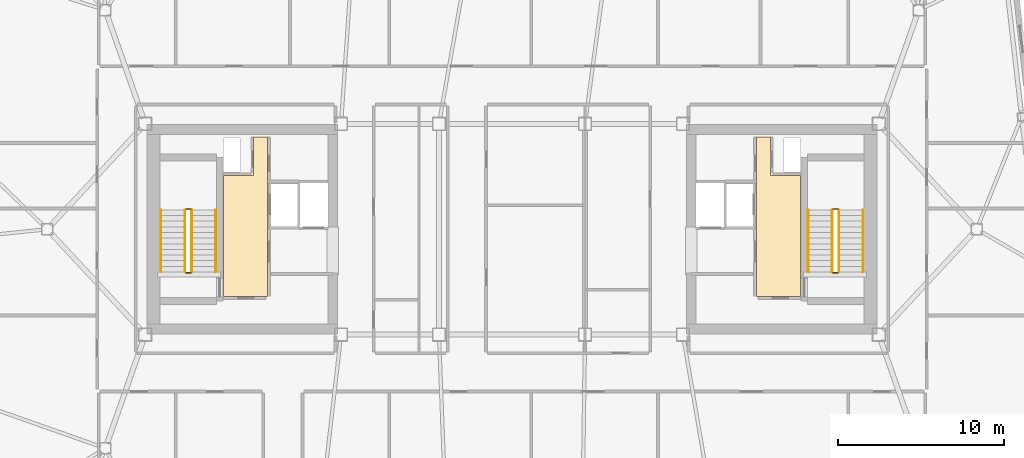
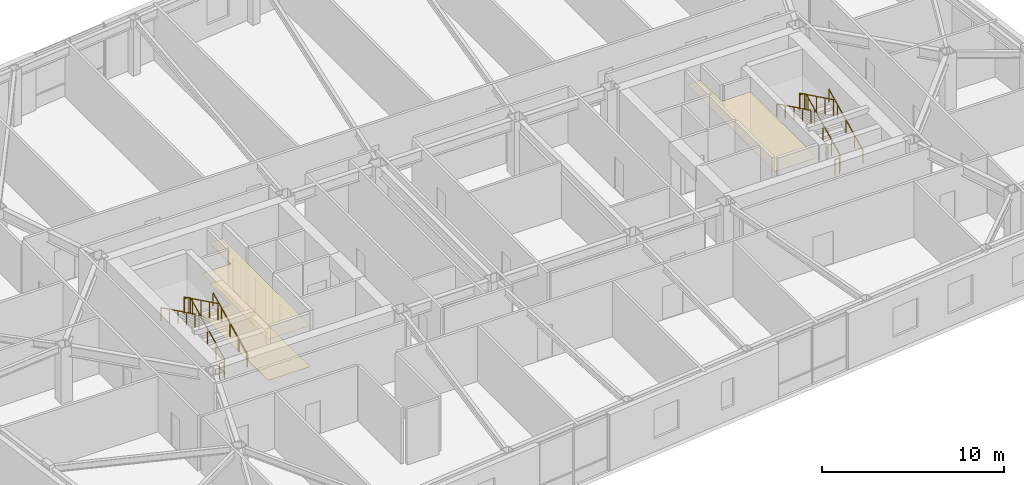
# One storey, part 19 of 19: 12 railings, 3 coverings.
"""IFC4 building model written with IfcOpenShell, lengths in metres."""

from ifc_helpers import new_model, si_unit, direction, frame, origin, origin_2d, place, context, subcontext, project, spatial, polyline, rectangle, outline, extrude, material, layer, layer_set, type_object, element, save


model = new_model("IFC4")

# Units and contexts
model_context = context("Model", 3, precision=1e-05, world=origin(), true_north=direction((0.0, 1.0)))
body_context = subcontext(model_context, "Body", "Model", "MODEL_VIEW")
ifc_project = project(units=[si_unit("LENGTHUNIT", "METRE"), si_unit("AREAUNIT", "SQUARE_METRE"), si_unit("VOLUMEUNIT", "CUBIC_METRE"), si_unit("PLANEANGLEUNIT", "RADIAN"), si_unit("MASSUNIT", "GRAM", prefix="KILO")], contexts=[model_context])

# Site, building, storey
site_placement = place(None, origin())
site = spatial("IfcSite", under=ifc_project, at=site_placement, CompositionType="ELEMENT")
building_placement = place(site_placement, origin())
building = spatial("IfcBuilding", under=site, at=building_placement, Name="Tavrogorsk Clinical Tower", CompositionType="ELEMENT")
storey_placement = place(building_placement, frame((0.0, 0.0, 263.0)))
storey = spatial("IfcBuildingStorey", under=building, at=storey_placement, Name="L61", CompositionType="ELEMENT", Elevation=263.0)

# Coverings
ifc_material_1 = material(Name="Antibacterial micro-perforated aluminium ceiling", Category="aluminium")
ifc_layer_1 = layer(ifc_material_1, 0.014892578125)
ifc_layer_set_1 = layer_set([ifc_layer_1], Name="Antibacterial micro-perforated aluminium ceiling")
covering_type_1 = type_object("IfcCoveringType", Name="ClinicalCeiling_15", PredefinedType="CEILING", material=ifc_layer_set_1)
covering_1_placement = place(storey_placement, frame((0.0, 0.0, 2.75)))
element("IfcCovering", 1, at=covering_1_placement, inside=storey, type_object=covering_type_1, Name="Core West Firefighting Lift Lobby Acoustic Ceiling", PredefinedType="CEILING", context=body_context, shape_type="SweptSolid", body=[
    extrude(outline(polyline([(-14.719970703125, 5.56005859375), (-14.719970703125, -4.06005859375), (-17.3798828125, -4.06005859375), (-17.3798828125, 3.239990234375), (-15.56005859375, 3.239990234375), (-15.56005859375, 5.56005859375), (-14.719970703125, 5.56005859375)])), origin(), (0.0, 0.0, 1.0), 0.014892578125),
])
covering_2_placement = place(storey_placement, frame((0.0, 0.0, 2.75)))
element("IfcCovering", 2, at=covering_2_placement, inside=storey, type_object=covering_type_1, Name="Core East Firefighting Lift Lobby Acoustic Ceiling", PredefinedType="CEILING", context=body_context, shape_type="SweptSolid", body=[
    extrude(outline(polyline([(17.3798828125, -4.06005859375), (14.719970703125, -4.06005859375), (14.719970703125, 5.56005859375), (15.56005859375, 5.56005859375), (15.56005859375, 3.239990234375), (17.3798828125, 3.239990234375), (17.3798828125, -4.06005859375)])), origin(), (0.0, 0.0, 1.0), 0.014892578125),
])
ifc_material_2 = material(Name="Homogeneous medical conductive PVC flooring")
ifc_layer_2 = layer(ifc_material_2, 0.008056640625)
ifc_layer_set_2 = layer_set([ifc_layer_2], Name="Homogeneous medical conductive PVC flooring")
covering_type_2 = type_object("IfcCoveringType", Name="ResilientVinylFloor_8", PredefinedType="FLOORING", material=ifc_layer_set_2)
covering_3_placement = place(storey_placement, origin())
element("IfcCovering", 3, at=covering_3_placement, inside=storey, type_object=covering_type_2, Name="Core West Firefighting Lift Lobby Conductive Vinyl Flooring", PredefinedType="FLOORING", context=body_context, shape_type="SweptSolid", body=[
    extrude(outline(polyline([(-14.719970703125, 5.56005859375), (-14.719970703125, -4.06005859375), (-17.3798828125, -4.06005859375), (-17.3798828125, 3.239990234375), (-15.56005859375, 3.239990234375), (-15.56005859375, 5.56005859375), (-14.719970703125, 5.56005859375)])), origin(), (0.0, 0.0, 1.0), 0.008056640625),
])

# Railings
ifc_material_3 = material(Name="Galvanised steel S355 safety stairwell guard", Category="steel")
ifc_layer_3 = layer(ifc_material_3, 0.06005859375)
ifc_layer_set_3 = layer_set([ifc_layer_3], Name="Galvanised steel S355 safety stairwell guard")
railing_type_1 = type_object("IfcRailingType", Name="StairGuard_1150", PredefinedType="GUARDRAIL", material=ifc_layer_set_3)
railing_1_placement = place(storey_placement, frame((-19.300048828125, -2.574951171875, 0.166748046875)))
element("IfcRailing", 4, at=railing_1_placement, inside=storey, type_object=railing_type_1, Name="L61 ST-W stair guard 1", PredefinedType="GUARDRAIL", context=body_context, shape_type="SweptSolid", body=[
    extrude(rectangle(XDim=0.048095703125, YDim=0.048095703125, at=origin_2d()), frame((0.0, 0.0, 1.076171875), z_axis=(0.0, 0.897927990467, 0.440142390523), x_axis=(-1.0, 0.0, 0.0)), (0.0, 0.0, 1.0), 4.1650390625),
    extrude(rectangle(XDim=0.0419921875, YDim=0.0419921875, at=origin_2d()), origin(), (0.0, 0.0, 1.0), 1.052001953125),
    extrude(rectangle(XDim=0.0419921875, YDim=0.0419921875, at=origin_2d()), frame((0.0, 0.93505859375, 0.458251953125)), (0.0, 0.0, 1.0), 1.052001953125),
    extrude(rectangle(XDim=0.0419921875, YDim=0.0419921875, at=origin_2d()), frame((0.0, 1.8701171875, 0.91650390625)), (0.0, 0.0, 1.0), 1.052001953125),
    extrude(rectangle(XDim=0.0419921875, YDim=0.0419921875, at=origin_2d()), frame((0.0, 2.804931640625, 1.375)), (0.0, 0.0, 1.0), 1.052001953125),
    extrude(rectangle(XDim=0.0419921875, YDim=0.0419921875, at=origin_2d()), frame((0.0, 3.739990234375, 1.833251953125)), (0.0, 0.0, 1.0), 1.052001953125),
])
railing_2_placement = place(storey_placement, frame((-19.35009765625, 1.215087890625, 2.0)))
element("IfcRailing", 5, at=railing_2_placement, inside=storey, type_object=railing_type_1, Name="L61 ST-W stair guard 2", PredefinedType="GUARDRAIL", context=body_context, shape_type="SweptSolid", body=[
    extrude(rectangle(XDim=0.048095703125, YDim=0.048095703125, at=origin_2d()), frame((0.0, 0.0, 1.076171875), z_axis=(-1.0, 0.0, 0.0), x_axis=(0.0, -1.0, 0.0)), (0.0, 0.0, 1.0), 0.2998046875),
    extrude(rectangle(XDim=0.0419921875, YDim=0.0419921875, at=origin_2d()), origin(), (0.0, 0.0, 1.0), 1.052001953125),
    extrude(rectangle(XDim=0.0419921875, YDim=0.0419921875, at=origin_2d()), frame((-0.2998046875, 0.0, 0.0)), (0.0, 0.0, 1.0), 1.052001953125),
])
railing_3_placement = place(storey_placement, frame((-19.699951171875, 1.1650390625, 2.166748046875)))
element("IfcRailing", 6, at=railing_3_placement, inside=storey, type_object=railing_type_1, Name="L61 ST-W stair guard 3", PredefinedType="GUARDRAIL", context=body_context, shape_type="SweptSolid", body=[
    extrude(rectangle(XDim=0.048095703125, YDim=0.048095703125, at=origin_2d()), frame((0.0, 0.0, 1.076171875), z_axis=(0.0, -0.897927990467, 0.440142390523), x_axis=(1.0, 0.0, 0.0)), (0.0, 0.0, 1.0), 4.1650390625),
    extrude(rectangle(XDim=0.0419921875, YDim=0.0419921875, at=origin_2d()), origin(), (0.0, 0.0, 1.0), 1.052001953125),
    extrude(rectangle(XDim=0.0419921875, YDim=0.0419921875, at=origin_2d()), frame((0.0, -0.93505859375, 0.458251953125)), (0.0, 0.0, 1.0), 1.052001953125),
    extrude(rectangle(XDim=0.0419921875, YDim=0.0419921875, at=origin_2d()), frame((0.0, -1.8701171875, 0.91650390625)), (0.0, 0.0, 1.0), 1.052001953125),
    extrude(rectangle(XDim=0.0419921875, YDim=0.0419921875, at=origin_2d()), frame((0.0, -2.804931640625, 1.375)), (0.0, 0.0, 1.0), 1.052001953125),
    extrude(rectangle(XDim=0.0419921875, YDim=0.0419921875, at=origin_2d()), frame((0.0, -3.739990234375, 1.833251953125)), (0.0, 0.0, 1.0), 1.052001953125),
])
railing_4_placement = place(storey_placement, frame((-19.35009765625, -2.625, 0.0)))
element("IfcRailing", 7, at=railing_4_placement, inside=storey, type_object=railing_type_1, Name="L61 ST-W stair guard 4", PredefinedType="GUARDRAIL", context=body_context, shape_type="SweptSolid", body=[
    extrude(rectangle(XDim=0.048095703125, YDim=0.048095703125, at=origin_2d()), frame((0.0, 0.0, 1.076171875), z_axis=(-1.0, 0.0, 0.0), x_axis=(0.0, -1.0, 0.0)), (0.0, 0.0, 1.0), 0.2998046875),
    extrude(rectangle(XDim=0.0419921875, YDim=0.0419921875, at=origin_2d()), origin(), (0.0, 0.0, 1.0), 1.052001953125),
    extrude(rectangle(XDim=0.0419921875, YDim=0.0419921875, at=origin_2d()), frame((-0.2998046875, 0.0, 0.0)), (0.0, 0.0, 1.0), 1.052001953125),
])
railing_5_placement = place(storey_placement, frame((19.699951171875, -2.574951171875, 0.166748046875)))
element("IfcRailing", 8, at=railing_5_placement, inside=storey, type_object=railing_type_1, Name="L61 ST-E stair guard 1", PredefinedType="GUARDRAIL", context=body_context, shape_type="SweptSolid", body=[
    extrude(rectangle(XDim=0.048095703125, YDim=0.048095703125, at=origin_2d()), frame((0.0, 0.0, 1.076171875), z_axis=(0.0, 0.897927990467, 0.440142390523), x_axis=(-1.0, 0.0, 0.0)), (0.0, 0.0, 1.0), 4.1650390625),
    extrude(rectangle(XDim=0.0419921875, YDim=0.0419921875, at=origin_2d()), origin(), (0.0, 0.0, 1.0), 1.052001953125),
    extrude(rectangle(XDim=0.0419921875, YDim=0.0419921875, at=origin_2d()), frame((0.0, 0.93505859375, 0.458251953125)), (0.0, 0.0, 1.0), 1.052001953125),
    extrude(rectangle(XDim=0.0419921875, YDim=0.0419921875, at=origin_2d()), frame((0.0, 1.8701171875, 0.91650390625)), (0.0, 0.0, 1.0), 1.052001953125),
    extrude(rectangle(XDim=0.0419921875, YDim=0.0419921875, at=origin_2d()), frame((0.0, 2.804931640625, 1.375)), (0.0, 0.0, 1.0), 1.052001953125),
    extrude(rectangle(XDim=0.0419921875, YDim=0.0419921875, at=origin_2d()), frame((0.0, 3.739990234375, 1.833251953125)), (0.0, 0.0, 1.0), 1.052001953125),
])
railing_6_placement = place(storey_placement, frame((19.64990234375, 1.215087890625, 2.0)))
element("IfcRailing", 9, at=railing_6_placement, inside=storey, type_object=railing_type_1, Name="L61 ST-E stair guard 2", PredefinedType="GUARDRAIL", context=body_context, shape_type="SweptSolid", body=[
    extrude(rectangle(XDim=0.048095703125, YDim=0.048095703125, at=origin_2d()), frame((0.0, 0.0, 1.076171875), z_axis=(-1.0, 0.0, 0.0), x_axis=(0.0, -1.0, 0.0)), (0.0, 0.0, 1.0), 0.2998046875),
    extrude(rectangle(XDim=0.0419921875, YDim=0.0419921875, at=origin_2d()), origin(), (0.0, 0.0, 1.0), 1.052001953125),
    extrude(rectangle(XDim=0.0419921875, YDim=0.0419921875, at=origin_2d()), frame((-0.2998046875, 0.0, 0.0)), (0.0, 0.0, 1.0), 1.052001953125),
])
railing_7_placement = place(storey_placement, frame((19.300048828125, 1.1650390625, 2.166748046875)))
element("IfcRailing", 10, at=railing_7_placement, inside=storey, type_object=railing_type_1, Name="L61 ST-E stair guard 3", PredefinedType="GUARDRAIL", context=body_context, shape_type="SweptSolid", body=[
    extrude(rectangle(XDim=0.048095703125, YDim=0.048095703125, at=origin_2d()), frame((0.0, 0.0, 1.076171875), z_axis=(0.0, -0.897927990467, 0.440142390523), x_axis=(1.0, 0.0, 0.0)), (0.0, 0.0, 1.0), 4.1650390625),
    extrude(rectangle(XDim=0.0419921875, YDim=0.0419921875, at=origin_2d()), origin(), (0.0, 0.0, 1.0), 1.052001953125),
    extrude(rectangle(XDim=0.0419921875, YDim=0.0419921875, at=origin_2d()), frame((0.0, -0.93505859375, 0.458251953125)), (0.0, 0.0, 1.0), 1.052001953125),
    extrude(rectangle(XDim=0.0419921875, YDim=0.0419921875, at=origin_2d()), frame((0.0, -1.8701171875, 0.91650390625)), (0.0, 0.0, 1.0), 1.052001953125),
    extrude(rectangle(XDim=0.0419921875, YDim=0.0419921875, at=origin_2d()), frame((0.0, -2.804931640625, 1.375)), (0.0, 0.0, 1.0), 1.052001953125),
    extrude(rectangle(XDim=0.0419921875, YDim=0.0419921875, at=origin_2d()), frame((0.0, -3.739990234375, 1.833251953125)), (0.0, 0.0, 1.0), 1.052001953125),
])
railing_8_placement = place(storey_placement, frame((19.64990234375, -2.625, 0.0)))
element("IfcRailing", 11, at=railing_8_placement, inside=storey, type_object=railing_type_1, Name="L61 ST-E stair guard 4", PredefinedType="GUARDRAIL", context=body_context, shape_type="SweptSolid", body=[
    extrude(rectangle(XDim=0.048095703125, YDim=0.048095703125, at=origin_2d()), frame((0.0, 0.0, 1.076171875), z_axis=(-1.0, 0.0, 0.0), x_axis=(0.0, -1.0, 0.0)), (0.0, 0.0, 1.0), 0.2998046875),
    extrude(rectangle(XDim=0.0419921875, YDim=0.0419921875, at=origin_2d()), origin(), (0.0, 0.0, 1.0), 1.052001953125),
    extrude(rectangle(XDim=0.0419921875, YDim=0.0419921875, at=origin_2d()), frame((-0.2998046875, 0.0, 0.0)), (0.0, 0.0, 1.0), 1.052001953125),
])
ifc_material_4 = material(Name="Stainless steel AISI 304 tubular handrail", Category="steel")
ifc_layer_4 = layer(ifc_material_4, 0.050048828125)
ifc_layer_set_4 = layer_set([ifc_layer_4], Name="Stainless steel AISI 304 tubular handrail")
railing_type_2 = type_object("IfcRailingType", Name="StairHandrail_920", PredefinedType="HANDRAIL", material=ifc_layer_set_4)
railing_9_placement = place(storey_placement, frame((-17.85009765625, -2.574951171875, 0.166748046875)))
element("IfcRailing", 12, at=railing_9_placement, inside=storey, type_object=railing_type_2, Name="L61 ST-W stair handrail 1", PredefinedType="HANDRAIL", context=body_context, shape_type="SweptSolid", body=[
    extrude(rectangle(XDim=0.048095703125, YDim=0.048095703125, at=origin_2d()), frame((0.0, 0.0, 0.8759765625), z_axis=(0.0, 0.897927990467, 0.440142390523), x_axis=(-1.0, 0.0, 0.0)), (0.0, 0.0, 1.0), 4.1650390625),
    extrude(rectangle(XDim=0.0419921875, YDim=0.0419921875, at=origin_2d()), origin(), (0.0, 0.0, 1.0), 0.851806640625),
    extrude(rectangle(XDim=0.0419921875, YDim=0.0419921875, at=origin_2d()), frame((0.0, 0.93505859375, 0.458251953125)), (0.0, 0.0, 1.0), 0.851806640625),
    extrude(rectangle(XDim=0.0419921875, YDim=0.0419921875, at=origin_2d()), frame((0.0, 1.8701171875, 0.91650390625)), (0.0, 0.0, 1.0), 0.851806640625),
    extrude(rectangle(XDim=0.0419921875, YDim=0.0419921875, at=origin_2d()), frame((0.0, 2.804931640625, 1.375)), (0.0, 0.0, 1.0), 0.851806640625),
    extrude(rectangle(XDim=0.0419921875, YDim=0.0419921875, at=origin_2d()), frame((0.0, 3.739990234375, 1.833251953125)), (0.0, 0.0, 1.0), 0.851806640625),
])
railing_10_placement = place(storey_placement, frame((-21.14990234375, 1.1650390625, 2.166748046875)))
element("IfcRailing", 13, at=railing_10_placement, inside=storey, type_object=railing_type_2, Name="L61 ST-W stair handrail 2", PredefinedType="HANDRAIL", context=body_context, shape_type="SweptSolid", body=[
    extrude(rectangle(XDim=0.048095703125, YDim=0.048095703125, at=origin_2d()), frame((0.0, 0.0, 0.8759765625), z_axis=(0.0, -0.897927990467, 0.440142390523), x_axis=(1.0, 0.0, 0.0)), (0.0, 0.0, 1.0), 4.1650390625),
    extrude(rectangle(XDim=0.0419921875, YDim=0.0419921875, at=origin_2d()), origin(), (0.0, 0.0, 1.0), 0.851806640625),
    extrude(rectangle(XDim=0.0419921875, YDim=0.0419921875, at=origin_2d()), frame((0.0, -0.93505859375, 0.458251953125)), (0.0, 0.0, 1.0), 0.851806640625),
    extrude(rectangle(XDim=0.0419921875, YDim=0.0419921875, at=origin_2d()), frame((0.0, -1.8701171875, 0.91650390625)), (0.0, 0.0, 1.0), 0.851806640625),
    extrude(rectangle(XDim=0.0419921875, YDim=0.0419921875, at=origin_2d()), frame((0.0, -2.804931640625, 1.375)), (0.0, 0.0, 1.0), 0.851806640625),
    extrude(rectangle(XDim=0.0419921875, YDim=0.0419921875, at=origin_2d()), frame((0.0, -3.739990234375, 1.833251953125)), (0.0, 0.0, 1.0), 0.851806640625),
])
railing_11_placement = place(storey_placement, frame((21.14990234375, -2.574951171875, 0.166748046875)))
element("IfcRailing", 14, at=railing_11_placement, inside=storey, type_object=railing_type_2, Name="L61 ST-E stair handrail 1", PredefinedType="HANDRAIL", context=body_context, shape_type="SweptSolid", body=[
    extrude(rectangle(XDim=0.048095703125, YDim=0.048095703125, at=origin_2d()), frame((0.0, 0.0, 0.8759765625), z_axis=(0.0, 0.897927990467, 0.440142390523), x_axis=(-1.0, 0.0, 0.0)), (0.0, 0.0, 1.0), 4.1650390625),
    extrude(rectangle(XDim=0.0419921875, YDim=0.0419921875, at=origin_2d()), origin(), (0.0, 0.0, 1.0), 0.851806640625),
    extrude(rectangle(XDim=0.0419921875, YDim=0.0419921875, at=origin_2d()), frame((0.0, 0.93505859375, 0.458251953125)), (0.0, 0.0, 1.0), 0.851806640625),
    extrude(rectangle(XDim=0.0419921875, YDim=0.0419921875, at=origin_2d()), frame((0.0, 1.8701171875, 0.91650390625)), (0.0, 0.0, 1.0), 0.851806640625),
    extrude(rectangle(XDim=0.0419921875, YDim=0.0419921875, at=origin_2d()), frame((0.0, 2.804931640625, 1.375)), (0.0, 0.0, 1.0), 0.851806640625),
    extrude(rectangle(XDim=0.0419921875, YDim=0.0419921875, at=origin_2d()), frame((0.0, 3.739990234375, 1.833251953125)), (0.0, 0.0, 1.0), 0.851806640625),
])
railing_12_placement = place(storey_placement, frame((17.85009765625, 1.1650390625, 2.166748046875)))
element("IfcRailing", 15, at=railing_12_placement, inside=storey, type_object=railing_type_2, Name="L61 ST-E stair handrail 2", PredefinedType="HANDRAIL", context=body_context, shape_type="SweptSolid", body=[
    extrude(rectangle(XDim=0.048095703125, YDim=0.048095703125, at=origin_2d()), frame((0.0, 0.0, 0.8759765625), z_axis=(0.0, -0.897927990467, 0.440142390523), x_axis=(1.0, 0.0, 0.0)), (0.0, 0.0, 1.0), 4.1650390625),
    extrude(rectangle(XDim=0.0419921875, YDim=0.0419921875, at=origin_2d()), origin(), (0.0, 0.0, 1.0), 0.851806640625),
    extrude(rectangle(XDim=0.0419921875, YDim=0.0419921875, at=origin_2d()), frame((0.0, -0.93505859375, 0.458251953125)), (0.0, 0.0, 1.0), 0.851806640625),
    extrude(rectangle(XDim=0.0419921875, YDim=0.0419921875, at=origin_2d()), frame((0.0, -1.8701171875, 0.91650390625)), (0.0, 0.0, 1.0), 0.851806640625),
    extrude(rectangle(XDim=0.0419921875, YDim=0.0419921875, at=origin_2d()), frame((0.0, -2.804931640625, 1.375)), (0.0, 0.0, 1.0), 0.851806640625),
    extrude(rectangle(XDim=0.0419921875, YDim=0.0419921875, at=origin_2d()), frame((0.0, -3.739990234375, 1.833251953125)), (0.0, 0.0, 1.0), 0.851806640625),
])

save(model, "model.ifc")
